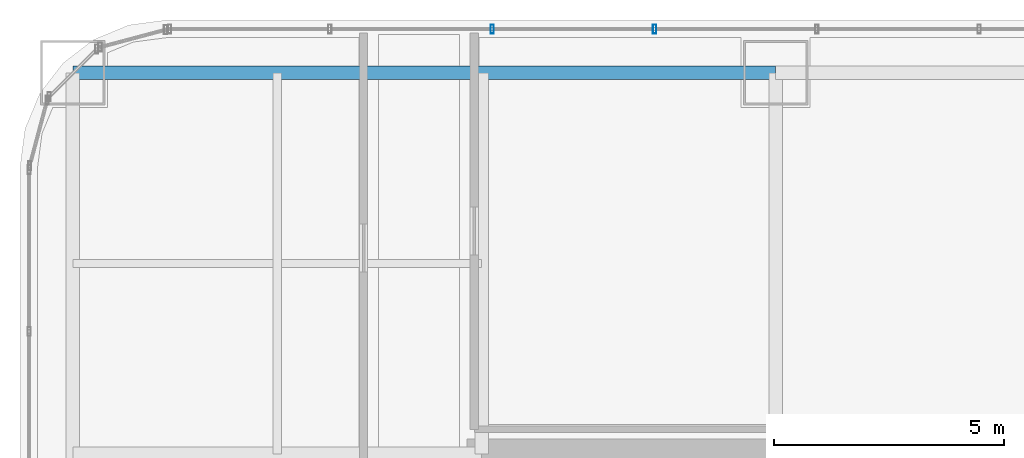
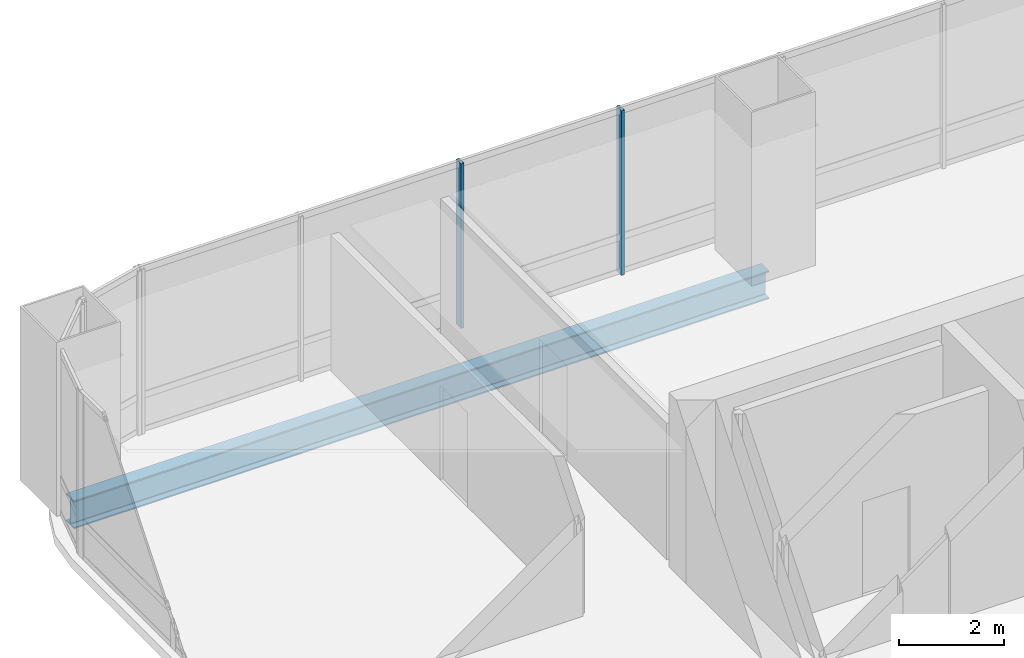
# One storey, part 21 of 36: 2 members, 1 beam, 1 element without a shape of its own.
"""IFC4 building model written with IfcOpenShell, lengths in metres."""

from ifc_helpers import new_model, si_unit, direction, frame, origin, origin_2d, place, context, subcontext, project, spatial, hollow_rectangle, i_section, extrude, material, material_profile, profile_set, type_object, element, aggregate, save


model = new_model("IFC4")

# Units and contexts
model_context = context("Model", 3, precision=1e-05, world=origin(), true_north=direction((0.0, 1.0)))
body_context = subcontext(model_context, "Body", "Model", "MODEL_VIEW")
ifc_project = project(units=[si_unit("LENGTHUNIT", "METRE"), si_unit("AREAUNIT", "SQUARE_METRE"), si_unit("VOLUMEUNIT", "CUBIC_METRE"), si_unit("PLANEANGLEUNIT", "RADIAN"), si_unit("MASSUNIT", "GRAM", prefix="KILO")], contexts=[model_context])

# Site, building, storey
site_placement = place(None, origin())
site = spatial("IfcSite", under=ifc_project, at=site_placement, CompositionType="ELEMENT")
building_placement = place(site_placement, origin())
building = spatial("IfcBuilding", under=site, at=building_placement, Name="Punatoya Terracotta Tower", CompositionType="ELEMENT")
storey_placement = place(building_placement, frame((0.0, 0.0, 208.64990234375)))
storey = spatial("IfcBuildingStorey", under=building, at=storey_placement, Name="L49", CompositionType="ELEMENT", Elevation=208.64990234375)

# Beam
ifc_material_1 = material(Name="Steel S355", Category="steel")
ifc_material_profile_1 = material_profile(ifc_material_1, i_section(OverallWidth=0.300048828125, OverallDepth=0.64990234375, WebThickness=0.01611328125, FlangeThickness=0.031005859375, FilletRadius=0.01806640625, at=origin_2d()))
ifc_profile_set_1 = profile_set([ifc_material_profile_1], Name="Steel S355")
beam_type = type_object("IfcBeamType", Name="BM-PRI-650", PredefinedType="BEAM", material=ifc_profile_set_1)
beam_placement = place(storey_placement, frame((-19.10009765625, 17.5, -0.544921875), z_axis=(1.0, 0.0, 0.0), x_axis=(0.0, 1.0, 0.0)))
element("IfcBeam", 1, at=beam_placement, inside=storey, type_object=beam_type, Name="BM-L49-RG-N1", PredefinedType="BEAM", context=body_context, shape_type="SweptSolid", body=[
    extrude(i_section(OverallWidth=0.300048828125, OverallDepth=0.64990234375, WebThickness=0.01611328125, FlangeThickness=0.031005859375, FilletRadius=0.01806640625, at=origin_2d()), origin(), (0.0, 0.0, 1.0), 15.300048828125),
])

# Curtain wall, members
ifc_material_2 = material(Name="Aluminium 6063-T6 + Double Low-E Glass", Category="aluminium")
curtain_wall_type = type_object("IfcCurtainWallType", Name="CW-M2", PredefinedType="NOTDEFINED", material=ifc_material_2)
curtain_wall_placement = place(storey_placement, origin())
curtain_wall = element("IfcCurtainWall", 2, at=curtain_wall_placement, inside=storey, type_object=curtain_wall_type, Name="L49 Curtain Wall CW-L49-N09-1", PredefinedType="NOTDEFINED")
ifc_material_3 = material(Name="Aluminium 6063-T6", Category="aluminium")
ifc_material_profile_2 = material_profile(ifc_material_3, hollow_rectangle(XDim=0.072021484375, YDim=0.195068359375, WallThickness=0.00439453125, at=origin_2d()))
ifc_profile_set_2 = profile_set([ifc_material_profile_2], Name="Aluminium 6063-T6")
member_type = type_object("IfcMemberType", Name="CW-MUL-M2", PredefinedType="MULLION", material=ifc_profile_set_2)
member_1_placement = place(storey_placement, frame((-6.43505859375, 18.449951171875, 0.0), z_axis=(0.0, 0.0, 1.0), x_axis=(1.0, 0.0, 0.0)))
member_1 = element("IfcMember", 3, at=member_1_placement, type_object=member_type, Name="CW-L49-N09-1 Mullion 08", PredefinedType="MULLION", context=body_context, shape_type="SweptSolid", body=[
    extrude(hollow_rectangle(XDim=0.072021484375, YDim=0.195068359375, WallThickness=0.00439453125, at=origin_2d()), origin(), (0.0, 0.0, 1.0), 3.830078125),
])
member_2_placement = place(storey_placement, frame((-9.968994140625, 18.449951171875, 0.0), z_axis=(0.0, 0.0, 1.0), x_axis=(1.0, 0.0, 0.0)))
member_2 = element("IfcMember", 4, at=member_2_placement, type_object=member_type, Name="CW-L49-N09-1 Mullion 09", PredefinedType="MULLION", context=body_context, shape_type="SweptSolid", body=[
    extrude(hollow_rectangle(XDim=0.072021484375, YDim=0.195068359375, WallThickness=0.00439453125, at=origin_2d()), origin(), (0.0, 0.0, 1.0), 3.830078125),
])
aggregate(curtain_wall, [member_1, member_2])

save(model, "model.ifc")
